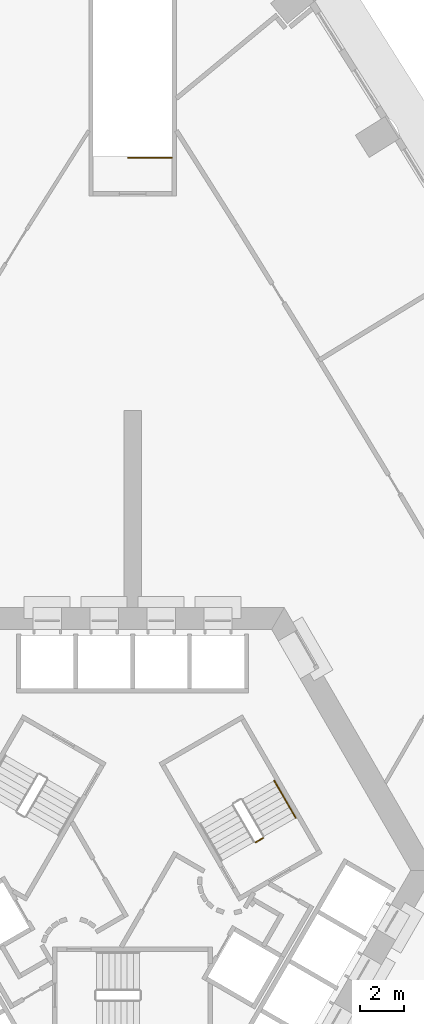
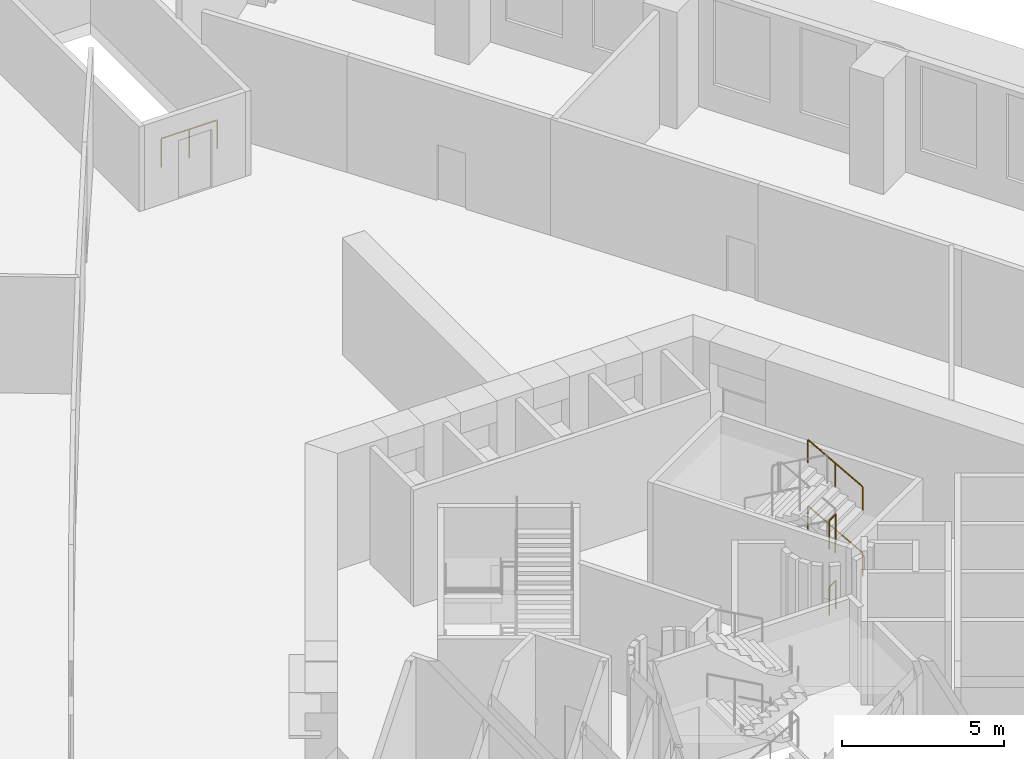
# One storey, part 14 of 15: 5 railings.
"""IFC4 building model written with IfcOpenShell, lengths in metres."""

from ifc_helpers import new_model, si_unit, direction, frame, origin, origin_2d, place, context, subcontext, project, spatial, circle, extrude, material, type_object, element, save


model = new_model("IFC4")

# Units and contexts
model_context = context("Model", 3, precision=1e-05, world=origin(), true_north=direction((0.0, 1.0)))
body_context = subcontext(model_context, "Body", "Model", "MODEL_VIEW")
ifc_project = project(units=[si_unit("LENGTHUNIT", "METRE"), si_unit("AREAUNIT", "SQUARE_METRE"), si_unit("VOLUMEUNIT", "CUBIC_METRE"), si_unit("PLANEANGLEUNIT", "RADIAN"), si_unit("MASSUNIT", "GRAM", prefix="KILO")], contexts=[model_context])

# Site, building, storey
site_placement = place(None, origin())
site = spatial("IfcSite", under=ifc_project, at=site_placement, CompositionType="ELEMENT")
building_placement = place(site_placement, origin())
building = spatial("IfcBuilding", under=site, at=building_placement, Name="Entoto Arch Interchange Tower", CompositionType="ELEMENT")
storey_placement = place(building_placement, frame((0.0, 0.0, 30.0)))
storey = spatial("IfcBuildingStorey", under=building, at=storey_placement, Name="L05", CompositionType="ELEMENT", Elevation=30.0)

# Railings
ifc_material = material(Name="Stainless steel 1.4301", Category="steel")
railing_type_1 = type_object("IfcRailingType", Name="STAIR GUARD 1100 STEEL", PredefinedType="GUARDRAIL", material=ifc_material)
for number, where, name in (
    (1, (5.95947265625, 3.977783203125, 2.5), "L05 ST-NE stair guard 4"),
    (2, (5.95947265625, 3.977783203125, 0.0), "L05 ST-NE stair guard 8"),
):
    element("IfcRailing", number, at=place(storey_placement, frame(where)), inside=storey, type_object=railing_type_1, Name=name, PredefinedType="GUARDRAIL", context=body_context, shape_type="SweptSolid", body=[
        extrude(circle(Radius=0.02392578125, at=origin_2d()), frame((0.0, 0.0, 1.076171875), z_axis=(-0.866094119867, -0.499880961361, 0.0), x_axis=(0.499880961361, -0.866094119867, 0.0)), (0.0, 0.0, 1.0), 0.39990234375),
        extrude(circle(Radius=0.02099609375, at=origin_2d()), origin(), (0.0, 0.0, 1.0), 1.052001953125),
        extrude(circle(Radius=0.02099609375, at=origin_2d()), frame((-0.346435546875, -0.199951171875, 0.0)), (0.0, 0.0, 1.0), 1.052001953125),
    ])
railing_placement = place(storey_placement, frame((1.800048828125, 35.050048828125, 0.0)))
element("IfcRailing", 3, at=railing_placement, inside=storey, type_object=railing_type_1, Name="L05 PST-N top well guard 1", PredefinedType="GUARDRAIL", context=body_context, shape_type="SweptSolid", body=[
    extrude(circle(Radius=0.02392578125, at=origin_2d()), frame((0.0, 0.0, 1.076171875), z_axis=(-1.0, 0.0, 0.0), x_axis=(0.0, -1.0, 0.0)), (0.0, 0.0, 1.0), 2.0),
    extrude(circle(Radius=0.02099609375, at=origin_2d()), origin(), (0.0, 0.0, 1.0), 1.052001953125),
    extrude(circle(Radius=0.02099609375, at=origin_2d()), frame((-1.0, 0.0, 0.0)), (0.0, 0.0, 1.0), 1.052001953125),
    extrude(circle(Radius=0.02099609375, at=origin_2d()), frame((-2.0, 0.0, 0.0)), (0.0, 0.0, 1.0), 1.052001953125),
])
railing_type_2 = type_object("IfcRailingType", Name="STAIR HANDRAIL 900 STEEL", PredefinedType="HANDRAIL", material=ifc_material)
for number, where, name in (
    (4, (7.4501953125, 4.89599609375, 0.15625), "L05 ST-NE stair handrail 1"),
    (5, (7.4501953125, 4.89599609375, 2.65625), "L05 ST-NE stair handrail 3"),
):
    element("IfcRailing", number, at=place(storey_placement, frame(where)), inside=storey, type_object=railing_type_2, Name=name, PredefinedType="HANDRAIL", context=body_context, shape_type="SweptSolid", body=[
        extrude(circle(Radius=0.02392578125, at=origin_2d()), frame((0.0, 0.0, 0.8759765625), z_axis=(-0.436596390967, 0.756266742998, 0.487282469241), x_axis=(-0.866042469362, -0.499970440388, 0.0)), (0.0, 0.0, 1.0), 2.24462890625),
        extrude(circle(Radius=0.02099609375, at=origin_2d()), origin(), (0.0, 0.0, 1.0), 0.851806640625),
        extrude(circle(Radius=0.02099609375, at=origin_2d()), frame((-0.489990234375, 0.8486328125, 0.546875)), (0.0, 0.0, 1.0), 0.851806640625),
        extrude(circle(Radius=0.02099609375, at=origin_2d()), frame((-0.97998046875, 1.697509765625, 1.09375)), (0.0, 0.0, 1.0), 0.851806640625),
    ])

save(model, "model.ifc")
